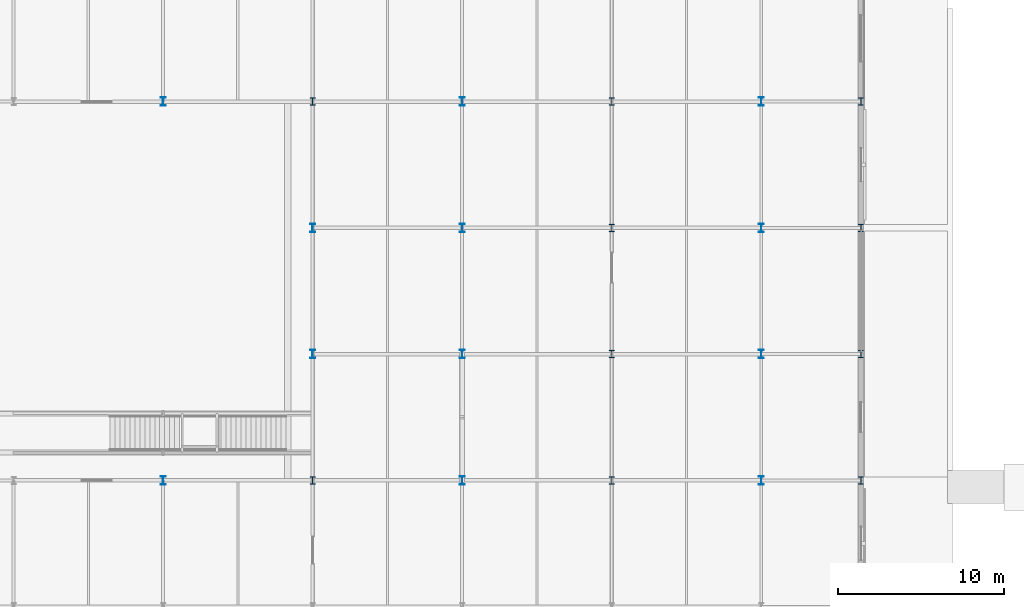
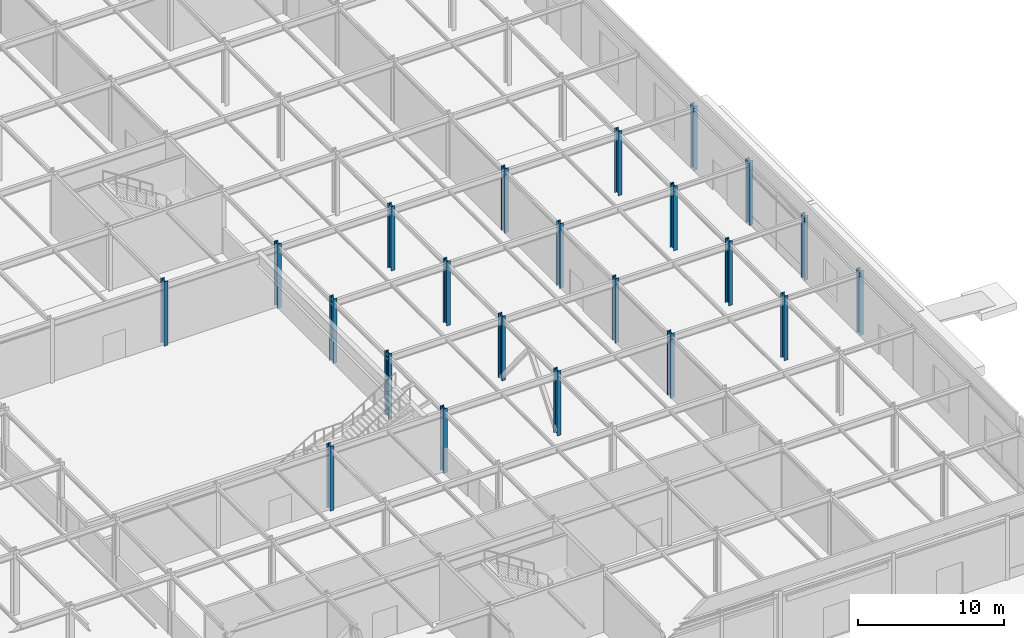
# One storey, part 18 of 89: 22 columns.
"""IFC4 building model written with IfcOpenShell, lengths in metres."""

from ifc_helpers import new_model, si_unit, direction, frame, origin, origin_2d, place, context, subcontext, project, spatial, i_section, extrude, material, material_profile, profile_set, type_object, element, save


model = new_model("IFC4")

# Units and contexts
model_context = context("Model", 3, precision=1e-05, world=origin(), true_north=direction((0.0, 1.0)))
body_context = subcontext(model_context, "Body", "Model", "MODEL_VIEW")
ifc_project = project(units=[si_unit("LENGTHUNIT", "METRE"), si_unit("AREAUNIT", "SQUARE_METRE"), si_unit("VOLUMEUNIT", "CUBIC_METRE"), si_unit("PLANEANGLEUNIT", "RADIAN"), si_unit("MASSUNIT", "GRAM", prefix="KILO")], contexts=[model_context])

# Site, building, storey
site_placement = place(None, origin())
site = spatial("IfcSite", under=ifc_project, at=site_placement, CompositionType="ELEMENT")
building_placement = place(site_placement, origin())
building = spatial("IfcBuilding", under=site, at=building_placement, Name="Shalkamar Park Central Library", CompositionType="ELEMENT")
storey_placement = place(building_placement, origin())
storey = spatial("IfcBuildingStorey", under=building, at=storey_placement, Name="L01", CompositionType="ELEMENT", Elevation=0.0)

# Columns
ifc_material = material(Name="Steel S355", Category="steel")
ifc_material_profile_1 = material_profile(ifc_material, i_section(OverallWidth=0.300048828125, OverallDepth=0.449951171875, WebThickness=0.013916015625, FlangeThickness=0.02587890625, FilletRadius=0.027099609375, at=origin_2d()), Name="HEB 450")
ifc_profile_set_1 = profile_set([ifc_material_profile_1], Name="Steel S355")
column_type_1 = type_object("IfcColumnType", Name="Column Steel HEB450", PredefinedType="COLUMN", material=ifc_profile_set_1)
for number, where, z_axis, x_axis, name in (
    (1, (255.0, 270.39990234375, 0.0), (0.0, 0.0, 1.0), (1.0, 0.0, 0.0), "Column 18/E (L01)"),
    (2, (255.0, 293.199951171875, 0.0), (0.0, 0.0, 1.0), (1.0, 0.0, 0.0), "Column 18/H (L01)"),
    (3, (273.0, 270.39990234375, 0.0), (0.0, 0.0, 1.0), (1.0, 0.0, 0.0), "Column 20/E (L01)"),
    (4, (273.0, 278.0, 0.0), (0.0, 0.0, 1.0), (1.0, 0.0, 0.0), "Column 20/F (L01)"),
    (5, (273.0, 285.60009765625, 0.0), (0.0, 0.0, 1.0), (1.0, 0.0, 0.0), "Column 20/G (L01)"),
    (6, (273.0, 293.199951171875, 0.0), (0.0, 0.0, 1.0), (1.0, 0.0, 0.0), "Column 20/H (L01)"),
    (7, (288.0, 270.39990234375, 0.0), (0.0, 0.0, 1.0), (1.0, 0.0, 0.0), "Column 22/E (L01)"),
    (8, (288.0, 278.0, 0.0), (0.0, 0.0, 1.0), (1.0, 0.0, 0.0), "Column 22/F (L01)"),
    (9, (288.0, 285.60009765625, 0.0), (0.0, 0.0, 1.0), (1.0, 0.0, 0.0), "Column 22/G (L01)"),
    (10, (288.0, 293.199951171875, 0.0), (0.0, 0.0, 1.0), (1.0, 0.0, 0.0), "Column 22/H (L01)"),
):
    element("IfcColumn", number, at=place(storey_placement, frame(where, z_axis=z_axis, x_axis=x_axis)), inside=storey, type_object=column_type_1, Name=name, PredefinedType="COLUMN", context=body_context, shape_type="SweptSolid", body=[
        extrude(i_section(OverallWidth=0.300048828125, OverallDepth=0.449951171875, WebThickness=0.013916015625, FlangeThickness=0.02587890625, FilletRadius=0.027099609375, at=origin_2d()), origin(), (0.0, 0.0, 1.0), 5.39990234375),
    ])
ifc_material_profile_2 = material_profile(ifc_material, i_section(OverallWidth=0.300048828125, OverallDepth=0.5, WebThickness=0.014404296875, FlangeThickness=0.028076171875, FilletRadius=0.027099609375, at=origin_2d()), Name="HEB 500")
ifc_profile_set_2 = profile_set([ifc_material_profile_2], Name="Steel S355")
column_type_2 = type_object("IfcColumnType", Name="Column Steel HEB500", PredefinedType="COLUMN", material=ifc_profile_set_2)
for number, where, z_axis, x_axis, name in (
    (11, (246.0, 270.39990234375, 0.0), (0.0, 0.0, 1.0), (1.0, 0.0, 0.0), "Column 17/E (L01)"),
    (12, (246.0, 293.199951171875, 0.0), (0.0, 0.0, 1.0), (1.0, 0.0, 0.0), "Column 17/H (L01)"),
    (13, (255.0, 278.0, 0.0), (0.0, 0.0, 1.0), (1.0, 0.0, 0.0), "Column 18/F (L01)"),
    (14, (255.0, 285.60009765625, 0.0), (0.0, 0.0, 1.0), (1.0, 0.0, 0.0), "Column 18/G (L01)"),
    (15, (264.0, 270.39990234375, 0.0), (0.0, 0.0, 1.0), (1.0, 0.0, 0.0), "Column 19/E (L01)"),
    (16, (264.0, 278.0, 0.0), (0.0, 0.0, 1.0), (1.0, 0.0, 0.0), "Column 19/F (L01)"),
    (17, (264.0, 285.60009765625, 0.0), (0.0, 0.0, 1.0), (1.0, 0.0, 0.0), "Column 19/G (L01)"),
    (18, (264.0, 293.199951171875, 0.0), (0.0, 0.0, 1.0), (1.0, 0.0, 0.0), "Column 19/H (L01)"),
    (19, (282.0, 270.39990234375, 0.0), (0.0, 0.0, 1.0), (1.0, 0.0, 0.0), "Column 21/E (L01)"),
    (20, (282.0, 278.0, 0.0), (0.0, 0.0, 1.0), (1.0, 0.0, 0.0), "Column 21/F (L01)"),
    (21, (282.0, 285.60009765625, 0.0), (0.0, 0.0, 1.0), (1.0, 0.0, 0.0), "Column 21/G (L01)"),
    (22, (282.0, 293.199951171875, 0.0), (0.0, 0.0, 1.0), (1.0, 0.0, 0.0), "Column 21/H (L01)"),
):
    element("IfcColumn", number, at=place(storey_placement, frame(where, z_axis=z_axis, x_axis=x_axis)), inside=storey, type_object=column_type_2, Name=name, PredefinedType="COLUMN", context=body_context, shape_type="SweptSolid", body=[
        extrude(i_section(OverallWidth=0.300048828125, OverallDepth=0.5, WebThickness=0.014404296875, FlangeThickness=0.028076171875, FilletRadius=0.027099609375, at=origin_2d()), origin(), (0.0, 0.0, 1.0), 5.39990234375),
    ])

save(model, "model.ifc")
